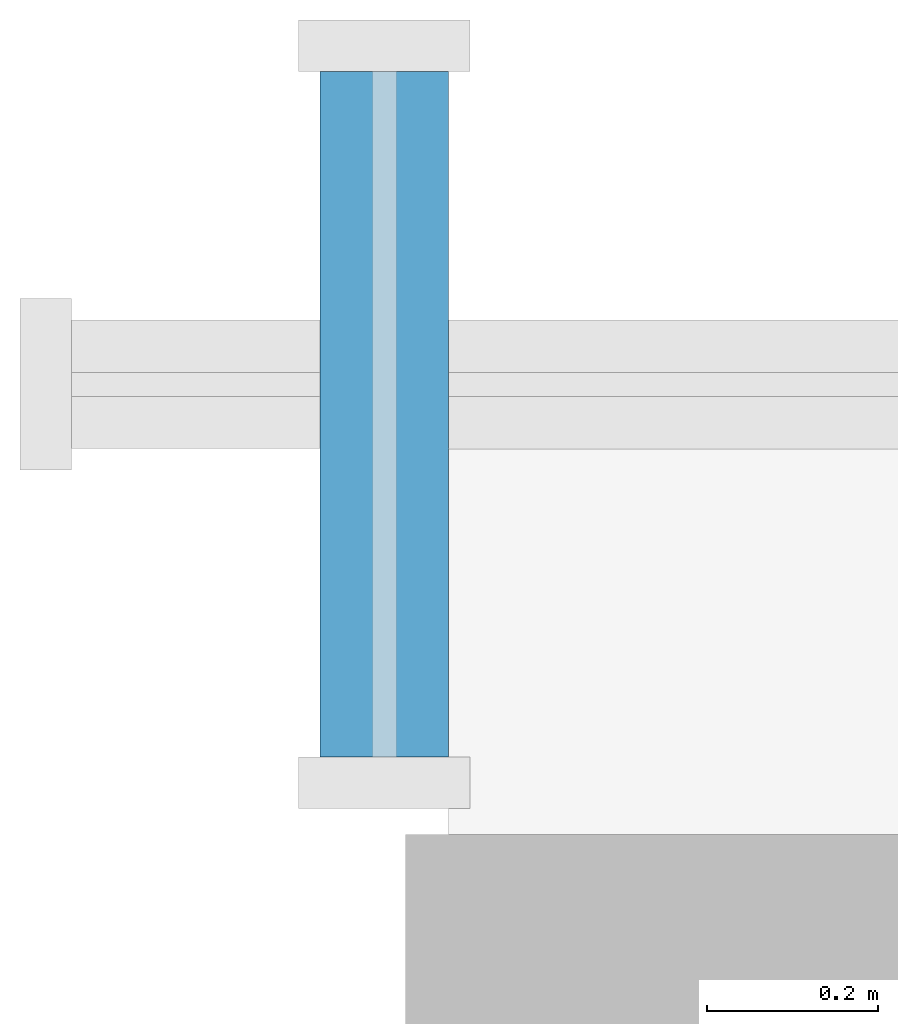
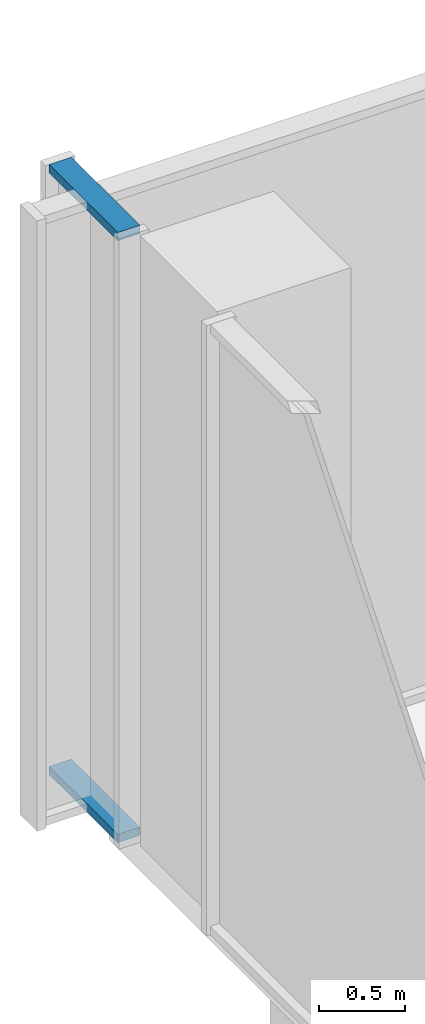
# One storey, part 16 of 33: 2 members, 1 element without a shape of its own.
"""IFC4 building model written with IfcOpenShell, lengths in metres."""

from ifc_helpers import new_model, si_unit, direction, frame, origin, origin_2d, place, context, subcontext, project, spatial, rectangle, extrude, material, material_profile, profile_set, type_object, element, aggregate, save


model = new_model("IFC4")

# Units and contexts
model_context = context("Model", 3, precision=1e-05, world=origin(), true_north=direction((0.0, 1.0)))
body_context = subcontext(model_context, "Body", "Model", "MODEL_VIEW")
ifc_project = project(units=[si_unit("LENGTHUNIT", "METRE"), si_unit("AREAUNIT", "SQUARE_METRE"), si_unit("VOLUMEUNIT", "CUBIC_METRE"), si_unit("PLANEANGLEUNIT", "RADIAN"), si_unit("MASSUNIT", "GRAM", prefix="KILO")], contexts=[model_context])

# Site, building, storey
site_placement = place(None, origin())
site = spatial("IfcSite", under=ifc_project, at=site_placement, CompositionType="ELEMENT")
building_placement = place(site_placement, origin())
building = spatial("IfcBuilding", under=site, at=building_placement, Name="Tessera Gate Towers", CompositionType="ELEMENT")
storey_placement = place(building_placement, frame((0.0, 0.0, 12.0)))
storey = spatial("IfcBuildingStorey", under=building, at=storey_placement, Name="L02", CompositionType="ELEMENT", Elevation=12.0)

# Curtain wall, members
ifc_material_1 = material(Name="Aluminium frame", Category="aluminium")
curtain_wall_type = type_object("IfcCurtainWallType", Name="CW-S1 podium storefront", PredefinedType="NOTDEFINED", material=ifc_material_1)
curtain_wall_placement = place(storey_placement, origin())
curtain_wall = element("IfcCurtainWall", 1, at=curtain_wall_placement, inside=storey, type_object=curtain_wall_type, Name="Curtain wall podium storefront 0216", PredefinedType="NOTDEFINED")
ifc_material_2 = material(Name="Aluminium frame", Category="aluminium")
ifc_material_profile = material_profile(ifc_material_2, rectangle(XDim=0.14990234375, YDim=0.06005859375, at=origin_2d()), Name="AL 60x150")
ifc_profile_set = profile_set([ifc_material_profile], Name="Aluminium frame")
member_type = type_object("IfcMemberType", Name="TR-S1 transom 60x150", PredefinedType="USERDEFINED", material=ifc_profile_set)
member_1_placement = place(storey_placement, frame((0.425048828125, 59.340087890625, 0.030029296875), z_axis=(0.0, -1.0, 0.0), x_axis=(1.0, 0.0, 0.0)))
member_1 = element("IfcMember", 2, at=member_1_placement, type_object=member_type, Name="PD-CW1-0216 transom 1.1", ObjectType="TRANSOM", PredefinedType="USERDEFINED", context=body_context, shape_type="SweptSolid", body=[
    extrude(rectangle(XDim=0.14990234375, YDim=0.06005859375, at=origin_2d()), origin(), (0.0, 0.0, 1.0), 0.800048828125),
])
member_2_placement = place(storey_placement, frame((0.425048828125, 59.340087890625, 4.320068359375), z_axis=(0.0, -1.0, 0.0), x_axis=(1.0, 0.0, 0.0)))
member_2 = element("IfcMember", 3, at=member_2_placement, type_object=member_type, Name="PD-CW1-0216 transom 1.2", ObjectType="TRANSOM", PredefinedType="USERDEFINED", context=body_context, shape_type="SweptSolid", body=[
    extrude(rectangle(XDim=0.14990234375, YDim=0.06005859375, at=origin_2d()), origin(), (0.0, 0.0, 1.0), 0.800048828125),
])
aggregate(curtain_wall, [member_1, member_2])

save(model, "model.ifc")
